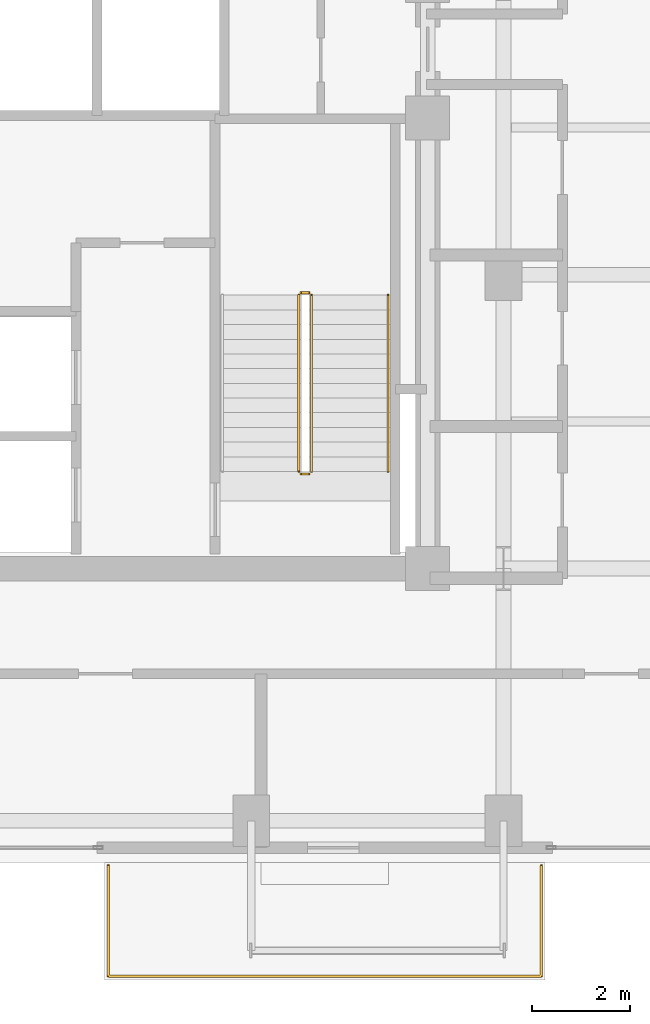
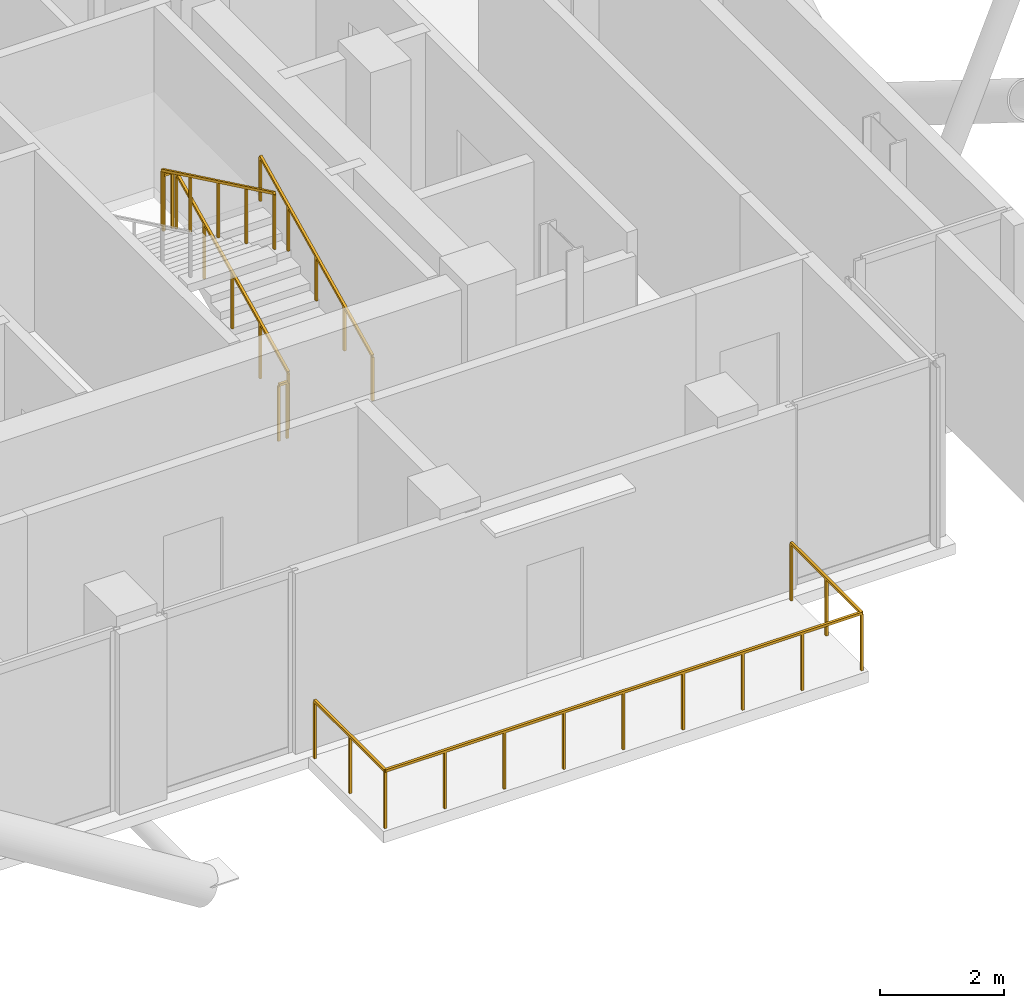
# One storey, part 26 of 26: 6 railings.
"""IFC4 building model written with IfcOpenShell, lengths in metres."""

from ifc_helpers import new_model, si_unit, direction, frame, origin, origin_2d, place, context, subcontext, project, spatial, rectangle, extrude, material, type_object, element, save


model = new_model("IFC4")

# Units and contexts
model_context = context("Model", 3, precision=1e-05, world=origin(), true_north=direction((0.0, 1.0)))
body_context = subcontext(model_context, "Body", "Model", "MODEL_VIEW")
ifc_project = project(units=[si_unit("LENGTHUNIT", "METRE"), si_unit("AREAUNIT", "SQUARE_METRE"), si_unit("VOLUMEUNIT", "CUBIC_METRE"), si_unit("PLANEANGLEUNIT", "RADIAN"), si_unit("MASSUNIT", "GRAM", prefix="KILO"), si_unit("THERMODYNAMICTEMPERATUREUNIT", "KELVIN"), si_unit("POWERUNIT", "WATT")], contexts=[model_context])

# Site, building, storey
site_placement = place(None, origin())
site = spatial("IfcSite", under=ifc_project, at=site_placement, CompositionType="ELEMENT")
building_placement = place(site_placement, origin())
building = spatial("IfcBuilding", under=site, at=building_placement, Name="Svarakhadi Broadcast Tower", CompositionType="ELEMENT")
storey_placement = place(building_placement, frame((0.0, 0.0, 184.199951171875)))
storey = spatial("IfcBuildingStorey", under=building, at=storey_placement, Name="L45", CompositionType="ELEMENT", Elevation=184.199951171875)

# Railings
ifc_material_1 = material(Name="Laminated Structural SentryGlas Balustrade 25.5 mm", Category="glass")
railing_type_1 = type_object("IfcRailingType", Name="Guard_Balcony_GR01", PredefinedType="BALUSTRADE", material=ifc_material_1)
railing_1_placement = place(storey_placement, frame((27.080078125, -0.06005859375, 0.0)))
element("IfcRailing", 1, at=railing_1_placement, inside=storey, type_object=railing_type_1, Name="L45 South Tree Balcony Guard GR-05", PredefinedType="BALUSTRADE", context=body_context, shape_type="SweptSolid", body=[
    extrude(rectangle(XDim=0.048095703125, YDim=0.048095703125, at=origin_2d()), frame((0.0, 0.0, 1.1259765625), z_axis=(0.0, -1.0, 0.0), x_axis=(1.0, 0.0, 0.0)), (0.0, 0.0, 1.0), 2.260009765625),
    extrude(rectangle(XDim=0.048095703125, YDim=0.048095703125, at=origin_2d()), frame((0.0, -2.260009765625, 1.1259765625), z_axis=(1.0, 0.0, 0.0), x_axis=(0.0, 1.0, 0.0)), (0.0, 0.0, 1.0), 8.83984375),
    extrude(rectangle(XDim=0.048095703125, YDim=0.048095703125, at=origin_2d()), frame((8.83984375, -2.260009765625, 1.1259765625), z_axis=(0.0, 1.0, 0.0), x_axis=(-1.0, 0.0, 0.0)), (0.0, 0.0, 1.0), 2.260009765625),
    extrude(rectangle(XDim=0.0419921875, YDim=0.0419921875, at=origin_2d()), origin(), (0.0, 0.0, 1.0), 1.101806640625),
    extrude(rectangle(XDim=0.0419921875, YDim=0.0419921875, at=origin_2d()), frame((0.0, -1.1298828125, 0.0)), (0.0, 0.0, 1.0), 1.101806640625),
    extrude(rectangle(XDim=0.0419921875, YDim=0.0419921875, at=origin_2d()), frame((0.0, -2.260009765625, 0.0)), (0.0, 0.0, 1.0), 1.101806640625),
    extrude(rectangle(XDim=0.0419921875, YDim=0.0419921875, at=origin_2d()), frame((1.10498046875, -2.260009765625, 0.0)), (0.0, 0.0, 1.0), 1.101806640625),
    extrude(rectangle(XDim=0.0419921875, YDim=0.0419921875, at=origin_2d()), frame((2.2099609375, -2.260009765625, 0.0)), (0.0, 0.0, 1.0), 1.101806640625),
    extrude(rectangle(XDim=0.0419921875, YDim=0.0419921875, at=origin_2d()), frame((3.31494140625, -2.260009765625, 0.0)), (0.0, 0.0, 1.0), 1.101806640625),
    extrude(rectangle(XDim=0.0419921875, YDim=0.0419921875, at=origin_2d()), frame((4.419921875, -2.260009765625, 0.0)), (0.0, 0.0, 1.0), 1.101806640625),
    extrude(rectangle(XDim=0.0419921875, YDim=0.0419921875, at=origin_2d()), frame((5.52490234375, -2.260009765625, 0.0)), (0.0, 0.0, 1.0), 1.101806640625),
    extrude(rectangle(XDim=0.0419921875, YDim=0.0419921875, at=origin_2d()), frame((6.6298828125, -2.260009765625, 0.0)), (0.0, 0.0, 1.0), 1.101806640625),
    extrude(rectangle(XDim=0.0419921875, YDim=0.0419921875, at=origin_2d()), frame((7.73486328125, -2.260009765625, 0.0)), (0.0, 0.0, 1.0), 1.101806640625),
    extrude(rectangle(XDim=0.0419921875, YDim=0.0419921875, at=origin_2d()), frame((8.83984375, -2.260009765625, 0.0)), (0.0, 0.0, 1.0), 1.101806640625),
    extrude(rectangle(XDim=0.0419921875, YDim=0.0419921875, at=origin_2d()), frame((8.83984375, -1.1298828125, 0.0)), (0.0, 0.0, 1.0), 1.101806640625),
    extrude(rectangle(XDim=0.0419921875, YDim=0.0419921875, at=origin_2d()), frame((8.83984375, 0.0, 0.0)), (0.0, 0.0, 1.0), 1.101806640625),
])
ifc_material_2 = material(Name="Anodised Bronze Aluminium AA 6063-T6", Category="aluminium")
railing_type_2 = type_object("IfcRailingType", Name="Guard_Stair_GR01", PredefinedType="GUARDRAIL", material=ifc_material_2)
railing_2_placement = place(storey_placement, frame((31.22998046875, 7.97998046875, 0.144287109375)))
element("IfcRailing", 2, at=railing_2_placement, inside=storey, type_object=railing_type_2, Name="L45 ST-02 stair guard 1", PredefinedType="GUARDRAIL", context=body_context, shape_type="SweptSolid", body=[
    extrude(rectangle(XDim=0.048095703125, YDim=0.048095703125, at=origin_2d()), frame((0.0, 0.0, 1.09619140625), z_axis=(0.0, 0.901262522062, 0.433273431364), x_axis=(-1.0, 0.0, 0.0)), (0.0, 0.0, 1.0), 3.994384765625),
    extrude(rectangle(XDim=0.0419921875, YDim=0.0419921875, at=origin_2d()), origin(), (0.0, 0.0, 1.0), 1.072021484375),
    extrude(rectangle(XDim=0.0419921875, YDim=0.0419921875, at=origin_2d()), frame((0.0, 0.89990234375, 0.4326171875)), (0.0, 0.0, 1.0), 1.072021484375),
    extrude(rectangle(XDim=0.0419921875, YDim=0.0419921875, at=origin_2d()), frame((0.0, 1.800048828125, 0.865234375)), (0.0, 0.0, 1.0), 1.072021484375),
    extrude(rectangle(XDim=0.0419921875, YDim=0.0419921875, at=origin_2d()), frame((0.0, 2.7001953125, 1.298095703125)), (0.0, 0.0, 1.0), 1.072021484375),
    extrude(rectangle(XDim=0.0419921875, YDim=0.0419921875, at=origin_2d()), frame((0.0, 3.60009765625, 1.730712890625)), (0.0, 0.0, 1.0), 1.072021484375),
])
railing_3_placement = place(storey_placement, frame((31.179931640625, 11.6298828125, 1.875)))
element("IfcRailing", 3, at=railing_3_placement, inside=storey, type_object=railing_type_2, Name="L45 ST-02 stair guard 2", PredefinedType="GUARDRAIL", context=body_context, shape_type="SweptSolid", body=[
    extrude(rectangle(XDim=0.048095703125, YDim=0.048095703125, at=origin_2d()), frame((0.0, 0.0, 1.09619140625), z_axis=(-1.0, 0.0, 0.0), x_axis=(0.0, -1.0, 0.0)), (0.0, 0.0, 1.0), 0.159912109375),
    extrude(rectangle(XDim=0.0419921875, YDim=0.0419921875, at=origin_2d()), origin(), (0.0, 0.0, 1.0), 1.072021484375),
    extrude(rectangle(XDim=0.0419921875, YDim=0.0419921875, at=origin_2d()), frame((-0.159912109375, 0.0, 0.0)), (0.0, 0.0, 1.0), 1.072021484375),
])
railing_4_placement = place(storey_placement, frame((30.969970703125, 11.580078125, 2.019287109375)))
element("IfcRailing", 4, at=railing_4_placement, inside=storey, type_object=railing_type_2, Name="L45 ST-02 stair guard 3", PredefinedType="GUARDRAIL", context=body_context, shape_type="SweptSolid", body=[
    extrude(rectangle(XDim=0.048095703125, YDim=0.048095703125, at=origin_2d()), frame((0.0, 0.0, 1.09619140625), z_axis=(0.0, -0.901262522062, 0.433273431364), x_axis=(1.0, 0.0, 0.0)), (0.0, 0.0, 1.0), 3.994384765625),
    extrude(rectangle(XDim=0.0419921875, YDim=0.0419921875, at=origin_2d()), origin(), (0.0, 0.0, 1.0), 1.072021484375),
    extrude(rectangle(XDim=0.0419921875, YDim=0.0419921875, at=origin_2d()), frame((0.0, -0.89990234375, 0.4326171875)), (0.0, 0.0, 1.0), 1.072021484375),
    extrude(rectangle(XDim=0.0419921875, YDim=0.0419921875, at=origin_2d()), frame((0.0, -1.800048828125, 0.865234375)), (0.0, 0.0, 1.0), 1.072021484375),
    extrude(rectangle(XDim=0.0419921875, YDim=0.0419921875, at=origin_2d()), frame((0.0, -2.7001953125, 1.298095703125)), (0.0, 0.0, 1.0), 1.072021484375),
    extrude(rectangle(XDim=0.0419921875, YDim=0.0419921875, at=origin_2d()), frame((0.0, -3.60009765625, 1.730712890625)), (0.0, 0.0, 1.0), 1.072021484375),
])
railing_5_placement = place(storey_placement, frame((31.179931640625, 7.929931640625, 0.0)))
element("IfcRailing", 5, at=railing_5_placement, inside=storey, type_object=railing_type_2, Name="L45 ST-02 stair guard 4", PredefinedType="GUARDRAIL", context=body_context, shape_type="SweptSolid", body=[
    extrude(rectangle(XDim=0.048095703125, YDim=0.048095703125, at=origin_2d()), frame((0.0, 0.0, 1.09619140625), z_axis=(-1.0, 0.0, 0.0), x_axis=(0.0, -1.0, 0.0)), (0.0, 0.0, 1.0), 0.159912109375),
    extrude(rectangle(XDim=0.0419921875, YDim=0.0419921875, at=origin_2d()), origin(), (0.0, 0.0, 1.0), 1.072021484375),
    extrude(rectangle(XDim=0.0419921875, YDim=0.0419921875, at=origin_2d()), frame((-0.159912109375, 0.0, 0.0)), (0.0, 0.0, 1.0), 1.072021484375),
])
railing_type_3 = type_object("IfcRailingType", Name="Handrail_Stair_HR01", PredefinedType="HANDRAIL", material=ifc_material_2)
railing_6_placement = place(storey_placement, frame((32.7900390625, 7.97998046875, 0.144287109375)))
element("IfcRailing", 6, at=railing_6_placement, inside=storey, type_object=railing_type_3, Name="L45 ST-02 stair handrail 1", PredefinedType="HANDRAIL", context=body_context, shape_type="SweptSolid", body=[
    extrude(rectangle(XDim=0.048095703125, YDim=0.048095703125, at=origin_2d()), frame((0.0, 0.0, 0.8759765625), z_axis=(0.0, 0.901262522062, 0.433273431364), x_axis=(-1.0, 0.0, 0.0)), (0.0, 0.0, 1.0), 3.994384765625),
    extrude(rectangle(XDim=0.0419921875, YDim=0.0419921875, at=origin_2d()), origin(), (0.0, 0.0, 1.0), 0.851806640625),
    extrude(rectangle(XDim=0.0419921875, YDim=0.0419921875, at=origin_2d()), frame((0.0, 0.89990234375, 0.4326171875)), (0.0, 0.0, 1.0), 0.851806640625),
    extrude(rectangle(XDim=0.0419921875, YDim=0.0419921875, at=origin_2d()), frame((0.0, 1.800048828125, 0.865234375)), (0.0, 0.0, 1.0), 0.851806640625),
    extrude(rectangle(XDim=0.0419921875, YDim=0.0419921875, at=origin_2d()), frame((0.0, 2.7001953125, 1.298095703125)), (0.0, 0.0, 1.0), 0.851806640625),
    extrude(rectangle(XDim=0.0419921875, YDim=0.0419921875, at=origin_2d()), frame((0.0, 3.60009765625, 1.730712890625)), (0.0, 0.0, 1.0), 0.851806640625),
])

save(model, "model.ifc")
